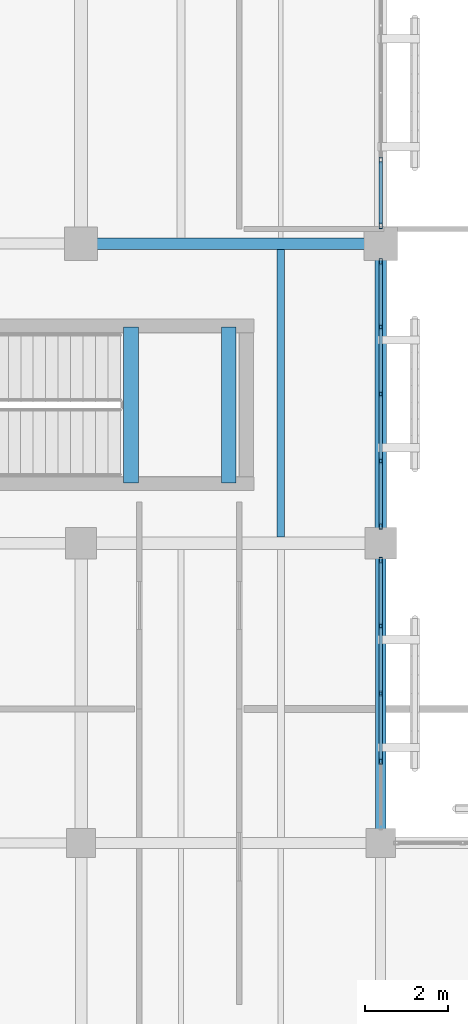
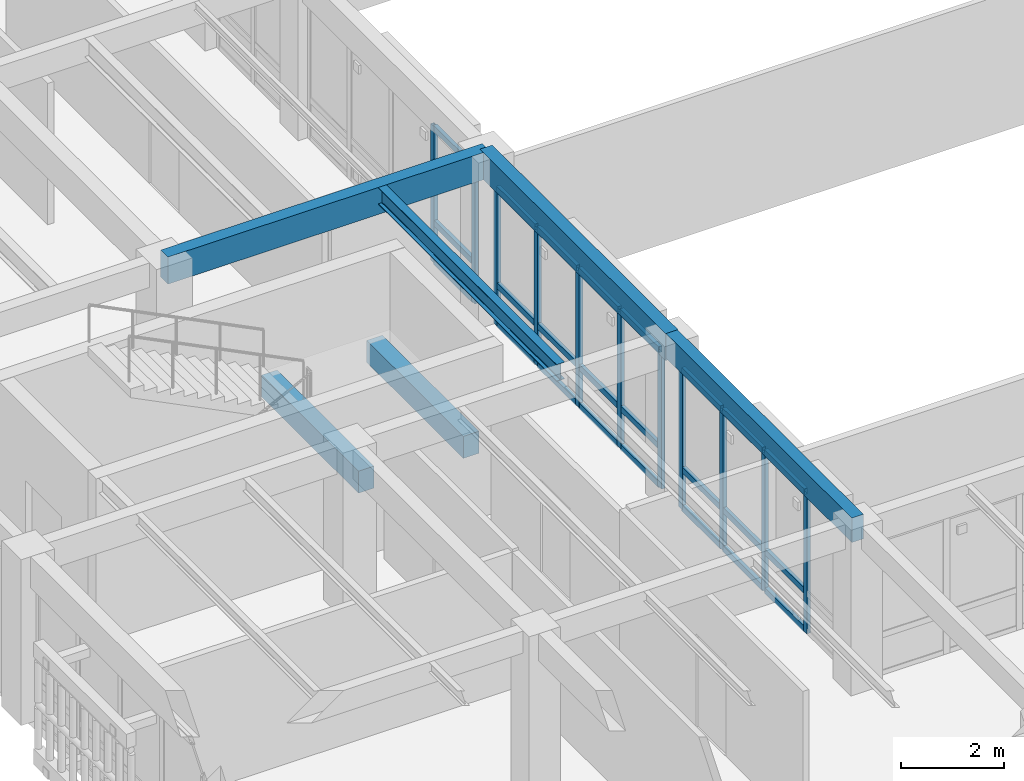
# One storey, part 102 of 170: 35 members, 6 beams, 3 elements without a shape of their own.
"""IFC4 building model written with IfcOpenShell, lengths in metres."""

from ifc_helpers import new_model, si_unit, direction, frame, origin, origin_2d, place, context, subcontext, project, spatial, rectangle, hollow_rectangle, i_section, extrude, material, layer, layer_set, material_profile, profile_set, type_object, element, aggregate, save


model = new_model("IFC4")

# Units and contexts
model_context = context("Model", 3, precision=1e-05, world=origin(), true_north=direction((0.0, 1.0)))
body_context = subcontext(model_context, "Body", "Model", "MODEL_VIEW")
ifc_project = project(units=[si_unit("LENGTHUNIT", "METRE"), si_unit("AREAUNIT", "SQUARE_METRE"), si_unit("VOLUMEUNIT", "CUBIC_METRE"), si_unit("PLANEANGLEUNIT", "RADIAN"), si_unit("MASSUNIT", "GRAM", prefix="KILO")], contexts=[model_context])

# Site, building, storey
site_placement = place(None, origin())
site = spatial("IfcSite", under=ifc_project, at=site_placement, CompositionType="ELEMENT")
building_placement = place(site_placement, origin())
building = spatial("IfcBuilding", under=site, at=building_placement, Name="Mazaris Harbour Polytechnic", CompositionType="ELEMENT")
storey_placement = place(building_placement, frame((0.0, 0.0, 5.39990234375)))
storey = spatial("IfcBuildingStorey", under=building, at=storey_placement, Name="L01", CompositionType="ELEMENT", Elevation=5.39990234375)

# Curtain wall, members
ifc_material_1 = material(Name="Anodised Bronze Aluminium and Low-E Glass", Category="aluminium")
ifc_layer = layer(ifc_material_1, 0.169921875, Name="Anodised Bronze Aluminium and Low-E Glass")
ifc_layer_set = layer_set([ifc_layer], Name="Anodised Bronze Aluminium and Low-E Glass")
curtain_wall_type = type_object("IfcCurtainWallType", Name="Studio North-Light Curtain Wall", PredefinedType="NOTDEFINED", material=ifc_layer_set)
curtain_wall_1_placement = place(storey_placement, origin())
curtain_wall_1 = element("IfcCurtainWall", 1, at=curtain_wall_1_placement, inside=storey, type_object=curtain_wall_type, Name="V5 L01 Curtain Wall 219", PredefinedType="NOTDEFINED")
ifc_material_2 = material(Name="Anodised Bronze Steel S355", Category="steel")
ifc_material_profile_1 = material_profile(ifc_material_2, hollow_rectangle(XDim=0.080078125, YDim=0.139892578125, WallThickness=0.00634765625, at=origin_2d()), Name="RHS 80x140x6.3")
ifc_profile_set_1 = profile_set([ifc_material_profile_1], Name="Anodised Bronze Steel S355")
member_type_1 = type_object("IfcMemberType", Name="Curtain Mullion RHS80x140", PredefinedType="MULLION", material=ifc_profile_set_1)
member_1_placement = place(storey_placement, frame((136.800048828125, 63.164794921875, 0.0), z_axis=(0.0, 0.0, 1.0), x_axis=(-1.0, 0.0, 0.0)))
member_1 = element("IfcMember", 2, at=member_1_placement, type_object=member_type_1, Name="CW-03 mullion 2", PredefinedType="MULLION", context=body_context, shape_type="SweptSolid", body=[
    extrude(hollow_rectangle(XDim=0.080078125, YDim=0.139892578125, WallThickness=0.00634765625, at=origin_2d()), origin(), (0.0, 0.0, 1.0), 3.330078125),
])
member_2_placement = place(storey_placement, frame((136.800048828125, 64.78759765625, 0.0), z_axis=(0.0, 0.0, 1.0), x_axis=(-1.0, 0.0, 0.0)))
member_2 = element("IfcMember", 3, at=member_2_placement, type_object=member_type_1, Name="CW-03 mullion 3", PredefinedType="MULLION", context=body_context, shape_type="SweptSolid", body=[
    extrude(hollow_rectangle(XDim=0.080078125, YDim=0.139892578125, WallThickness=0.00634765625, at=origin_2d()), origin(), (0.0, 0.0, 1.0), 3.330078125),
])
member_3_placement = place(storey_placement, frame((136.800048828125, 66.41015625, 0.0), z_axis=(0.0, 0.0, 1.0), x_axis=(-1.0, 0.0, 0.0)))
member_3 = element("IfcMember", 4, at=member_3_placement, type_object=member_type_1, Name="CW-03 mullion 4", PredefinedType="MULLION", context=body_context, shape_type="SweptSolid", body=[
    extrude(hollow_rectangle(XDim=0.080078125, YDim=0.139892578125, WallThickness=0.00634765625, at=origin_2d()), origin(), (0.0, 0.0, 1.0), 3.330078125),
])
member_4_placement = place(storey_placement, frame((136.800048828125, 67.992919921875, 0.0), z_axis=(0.0, 0.0, 1.0), x_axis=(-1.0, 0.0, 0.0)))
member_4 = element("IfcMember", 5, at=member_4_placement, type_object=member_type_1, Name="CW-03 mullion 5", PredefinedType="MULLION", context=body_context, shape_type="SweptSolid", body=[
    extrude(hollow_rectangle(XDim=0.080078125, YDim=0.139892578125, WallThickness=0.00634765625, at=origin_2d()), origin(), (0.0, 0.0, 1.0), 3.330078125),
])

curtain_wall_2_placement = place(storey_placement, origin())
curtain_wall_2 = element("IfcCurtainWall", 6, at=curtain_wall_2_placement, inside=storey, type_object=curtain_wall_type, Name="V5 L01 Curtain Wall 220", PredefinedType="NOTDEFINED")
member_5_placement = place(storey_placement, frame((136.800048828125, 68.806884765625, 0.0), z_axis=(0.0, 0.0, 1.0), x_axis=(-1.0, 0.0, 0.0)))
member_5 = element("IfcMember", 7, at=member_5_placement, type_object=member_type_1, Name="CW-03 mullion 1", PredefinedType="MULLION", context=body_context, shape_type="SweptSolid", body=[
    extrude(hollow_rectangle(XDim=0.080078125, YDim=0.139892578125, WallThickness=0.00634765625, at=origin_2d()), origin(), (0.0, 0.0, 1.0), 3.27001953125),
])
member_6_placement = place(storey_placement, frame((136.800048828125, 70.377197265625, 0.0), z_axis=(0.0, 0.0, 1.0), x_axis=(-1.0, 0.0, 0.0)))
member_6 = element("IfcMember", 8, at=member_6_placement, type_object=member_type_1, Name="CW-03 mullion 2", PredefinedType="MULLION", context=body_context, shape_type="SweptSolid", body=[
    extrude(hollow_rectangle(XDim=0.080078125, YDim=0.139892578125, WallThickness=0.00634765625, at=origin_2d()), origin(), (0.0, 0.0, 1.0), 3.27001953125),
])
member_7_placement = place(storey_placement, frame((136.800048828125, 71.987548828125, 0.0), z_axis=(0.0, 0.0, 1.0), x_axis=(-1.0, 0.0, 0.0)))
member_7 = element("IfcMember", 9, at=member_7_placement, type_object=member_type_1, Name="CW-03 mullion 3", PredefinedType="MULLION", context=body_context, shape_type="SweptSolid", body=[
    extrude(hollow_rectangle(XDim=0.080078125, YDim=0.139892578125, WallThickness=0.00634765625, at=origin_2d()), origin(), (0.0, 0.0, 1.0), 3.27001953125),
])
member_8_placement = place(storey_placement, frame((136.800048828125, 73.59765625, 0.0), z_axis=(0.0, 0.0, 1.0), x_axis=(-1.0, 0.0, 0.0)))
member_8 = element("IfcMember", 10, at=member_8_placement, type_object=member_type_1, Name="CW-03 mullion 4", PredefinedType="MULLION", context=body_context, shape_type="SweptSolid", body=[
    extrude(hollow_rectangle(XDim=0.080078125, YDim=0.139892578125, WallThickness=0.00634765625, at=origin_2d()), origin(), (0.0, 0.0, 1.0), 3.27001953125),
])
member_9_placement = place(storey_placement, frame((136.800048828125, 75.16796875, 0.0), z_axis=(0.0, 0.0, 1.0), x_axis=(-1.0, 0.0, 0.0)))
member_9 = element("IfcMember", 11, at=member_9_placement, type_object=member_type_1, Name="CW-03 mullion 5", PredefinedType="MULLION", context=body_context, shape_type="SweptSolid", body=[
    extrude(hollow_rectangle(XDim=0.080078125, YDim=0.139892578125, WallThickness=0.00634765625, at=origin_2d()), origin(), (0.0, 0.0, 1.0), 3.27001953125),
])

curtain_wall_3_placement = place(storey_placement, origin())
curtain_wall_3 = element("IfcCurtainWall", 12, at=curtain_wall_3_placement, inside=storey, type_object=curtain_wall_type, Name="V5 L01 Curtain Wall 221", PredefinedType="NOTDEFINED")
member_10_placement = place(storey_placement, frame((136.800048828125, 76.031982421875, 0.0), z_axis=(0.0, 0.0, 1.0), x_axis=(-1.0, 0.0, 0.0)))
member_10 = element("IfcMember", 13, at=member_10_placement, type_object=member_type_1, Name="CW-03 mullion 1", PredefinedType="MULLION", context=body_context, shape_type="SweptSolid", body=[
    extrude(hollow_rectangle(XDim=0.080078125, YDim=0.139892578125, WallThickness=0.00634765625, at=origin_2d()), origin(), (0.0, 0.0, 1.0), 3.22998046875),
])
member_11_placement = place(storey_placement, frame((136.800048828125, 77.6083984375, 0.0), z_axis=(0.0, 0.0, 1.0), x_axis=(-1.0, 0.0, 0.0)))
member_11 = element("IfcMember", 14, at=member_11_placement, type_object=member_type_1, Name="CW-03 mullion 2", PredefinedType="MULLION", context=body_context, shape_type="SweptSolid", body=[
    extrude(hollow_rectangle(XDim=0.080078125, YDim=0.139892578125, WallThickness=0.00634765625, at=origin_2d()), origin(), (0.0, 0.0, 1.0), 3.22998046875),
])

# Member
ifc_material_3 = material(Name="Anodised Bronze Steel S355", Category="steel")
ifc_material_profile_2 = material_profile(ifc_material_3, hollow_rectangle(XDim=0.080078125, YDim=0.139892578125, WallThickness=0.00634765625, at=origin_2d()), Name="RHS 80x140x6.3")
ifc_profile_set_2 = profile_set([ifc_material_profile_2], Name="Anodised Bronze Steel S355")
member_type_2 = type_object("IfcMemberType", Name="Curtain Transom RHS80x140", PredefinedType="USERDEFINED", material=ifc_profile_set_2)
member_12_placement = place(storey_placement, frame((136.800048828125, 63.204833984375, 0.0400390625), z_axis=(0.0, 1.0, 0.0), x_axis=(-1.0, 0.0, 0.0)))
member_12 = element("IfcMember", 15, at=member_12_placement, type_object=member_type_2, Name="CW-03 transom 2.1", ObjectType="TRANSOM", PredefinedType="USERDEFINED", context=body_context, shape_type="SweptSolid", body=[
    extrude(hollow_rectangle(XDim=0.080078125, YDim=0.139892578125, WallThickness=0.00634765625, at=origin_2d()), origin(), (0.0, 0.0, 1.0), 1.542724609375),
])

member_13_placement = place(storey_placement, frame((136.800048828125, 63.204833984375, 0.9501953125), z_axis=(0.0, 1.0, 0.0), x_axis=(-1.0, 0.0, 0.0)))
member_13 = element("IfcMember", 16, at=member_13_placement, type_object=member_type_2, Name="CW-03 transom 2.2", ObjectType="TRANSOM", PredefinedType="USERDEFINED", context=body_context, shape_type="SweptSolid", body=[
    extrude(hollow_rectangle(XDim=0.080078125, YDim=0.139892578125, WallThickness=0.00634765625, at=origin_2d()), origin(), (0.0, 0.0, 1.0), 1.542724609375),
])

member_14_placement = place(storey_placement, frame((136.800048828125, 63.204833984375, 3.2900390625), z_axis=(0.0, 1.0, 0.0), x_axis=(-1.0, 0.0, 0.0)))
member_14 = element("IfcMember", 17, at=member_14_placement, type_object=member_type_2, Name="CW-03 transom 2.3", ObjectType="TRANSOM", PredefinedType="USERDEFINED", context=body_context, shape_type="SweptSolid", body=[
    extrude(hollow_rectangle(XDim=0.080078125, YDim=0.139892578125, WallThickness=0.00634765625, at=origin_2d()), origin(), (0.0, 0.0, 1.0), 1.542724609375),
])

member_15_placement = place(storey_placement, frame((136.800048828125, 64.827392578125, 0.0400390625), z_axis=(0.0, 1.0, 0.0), x_axis=(-1.0, 0.0, 0.0)))
member_15 = element("IfcMember", 18, at=member_15_placement, type_object=member_type_2, Name="CW-03 transom 3.1", ObjectType="TRANSOM", PredefinedType="USERDEFINED", context=body_context, shape_type="SweptSolid", body=[
    extrude(hollow_rectangle(XDim=0.080078125, YDim=0.139892578125, WallThickness=0.00634765625, at=origin_2d()), origin(), (0.0, 0.0, 1.0), 1.54296875),
])

member_16_placement = place(storey_placement, frame((136.800048828125, 64.827392578125, 0.9501953125), z_axis=(0.0, 1.0, 0.0), x_axis=(-1.0, 0.0, 0.0)))
member_16 = element("IfcMember", 19, at=member_16_placement, type_object=member_type_2, Name="CW-03 transom 3.2", ObjectType="TRANSOM", PredefinedType="USERDEFINED", context=body_context, shape_type="SweptSolid", body=[
    extrude(hollow_rectangle(XDim=0.080078125, YDim=0.139892578125, WallThickness=0.00634765625, at=origin_2d()), origin(), (0.0, 0.0, 1.0), 1.54296875),
])

member_17_placement = place(storey_placement, frame((136.800048828125, 64.827392578125, 3.2900390625), z_axis=(0.0, 1.0, 0.0), x_axis=(-1.0, 0.0, 0.0)))
member_17 = element("IfcMember", 20, at=member_17_placement, type_object=member_type_2, Name="CW-03 transom 3.3", ObjectType="TRANSOM", PredefinedType="USERDEFINED", context=body_context, shape_type="SweptSolid", body=[
    extrude(hollow_rectangle(XDim=0.080078125, YDim=0.139892578125, WallThickness=0.00634765625, at=origin_2d()), origin(), (0.0, 0.0, 1.0), 1.54296875),
])

member_18_placement = place(storey_placement, frame((136.800048828125, 66.4501953125, 0.0400390625), z_axis=(0.0, 1.0, 0.0), x_axis=(-1.0, 0.0, 0.0)))
member_18 = element("IfcMember", 21, at=member_18_placement, type_object=member_type_2, Name="CW-03 transom 4.1", ObjectType="TRANSOM", PredefinedType="USERDEFINED", context=body_context, shape_type="SweptSolid", body=[
    extrude(hollow_rectangle(XDim=0.080078125, YDim=0.139892578125, WallThickness=0.00634765625, at=origin_2d()), origin(), (0.0, 0.0, 1.0), 1.502685546875),
])

member_19_placement = place(storey_placement, frame((136.800048828125, 66.4501953125, 0.9501953125), z_axis=(0.0, 1.0, 0.0), x_axis=(-1.0, 0.0, 0.0)))
member_19 = element("IfcMember", 22, at=member_19_placement, type_object=member_type_2, Name="CW-03 transom 4.2", ObjectType="TRANSOM", PredefinedType="USERDEFINED", context=body_context, shape_type="SweptSolid", body=[
    extrude(hollow_rectangle(XDim=0.080078125, YDim=0.139892578125, WallThickness=0.00634765625, at=origin_2d()), origin(), (0.0, 0.0, 1.0), 1.502685546875),
])

member_20_placement = place(storey_placement, frame((136.800048828125, 66.4501953125, 3.2900390625), z_axis=(0.0, 1.0, 0.0), x_axis=(-1.0, 0.0, 0.0)))
member_20 = element("IfcMember", 23, at=member_20_placement, type_object=member_type_2, Name="CW-03 transom 4.3", ObjectType="TRANSOM", PredefinedType="USERDEFINED", context=body_context, shape_type="SweptSolid", body=[
    extrude(hollow_rectangle(XDim=0.080078125, YDim=0.139892578125, WallThickness=0.00634765625, at=origin_2d()), origin(), (0.0, 0.0, 1.0), 1.502685546875),
])

aggregate(curtain_wall_1, [member_1, member_2, member_3, member_4, member_12, member_13, member_14, member_15, member_16, member_17, member_18, member_19, member_20])

member_21_placement = place(storey_placement, frame((136.800048828125, 68.846923828125, 0.0400390625), z_axis=(0.0, 1.0, 0.0), x_axis=(-1.0, 0.0, 0.0)))
member_21 = element("IfcMember", 24, at=member_21_placement, type_object=member_type_2, Name="CW-03 transom 1.1", ObjectType="TRANSOM", PredefinedType="USERDEFINED", context=body_context, shape_type="SweptSolid", body=[
    extrude(hollow_rectangle(XDim=0.080078125, YDim=0.139892578125, WallThickness=0.00634765625, at=origin_2d()), origin(), (0.0, 0.0, 1.0), 1.490234375),
])

member_22_placement = place(storey_placement, frame((136.800048828125, 68.846923828125, 0.9501953125), z_axis=(0.0, 1.0, 0.0), x_axis=(-1.0, 0.0, 0.0)))
member_22 = element("IfcMember", 25, at=member_22_placement, type_object=member_type_2, Name="CW-03 transom 1.2", ObjectType="TRANSOM", PredefinedType="USERDEFINED", context=body_context, shape_type="SweptSolid", body=[
    extrude(hollow_rectangle(XDim=0.080078125, YDim=0.139892578125, WallThickness=0.00634765625, at=origin_2d()), origin(), (0.0, 0.0, 1.0), 1.490234375),
])

member_23_placement = place(storey_placement, frame((136.800048828125, 68.846923828125, 3.22998046875), z_axis=(0.0, 1.0, 0.0), x_axis=(-1.0, 0.0, 0.0)))
member_23 = element("IfcMember", 26, at=member_23_placement, type_object=member_type_2, Name="CW-03 transom 1.3", ObjectType="TRANSOM", PredefinedType="USERDEFINED", context=body_context, shape_type="SweptSolid", body=[
    extrude(hollow_rectangle(XDim=0.080078125, YDim=0.139892578125, WallThickness=0.00634765625, at=origin_2d()), origin(), (0.0, 0.0, 1.0), 1.490234375),
])

member_24_placement = place(storey_placement, frame((136.800048828125, 70.417236328125, 0.0400390625), z_axis=(0.0, 1.0, 0.0), x_axis=(-1.0, 0.0, 0.0)))
member_24 = element("IfcMember", 27, at=member_24_placement, type_object=member_type_2, Name="CW-03 transom 2.1", ObjectType="TRANSOM", PredefinedType="USERDEFINED", context=body_context, shape_type="SweptSolid", body=[
    extrude(hollow_rectangle(XDim=0.080078125, YDim=0.139892578125, WallThickness=0.00634765625, at=origin_2d()), origin(), (0.0, 0.0, 1.0), 1.5302734375),
])

member_25_placement = place(storey_placement, frame((136.800048828125, 70.417236328125, 0.9501953125), z_axis=(0.0, 1.0, 0.0), x_axis=(-1.0, 0.0, 0.0)))
member_25 = element("IfcMember", 28, at=member_25_placement, type_object=member_type_2, Name="CW-03 transom 2.2", ObjectType="TRANSOM", PredefinedType="USERDEFINED", context=body_context, shape_type="SweptSolid", body=[
    extrude(hollow_rectangle(XDim=0.080078125, YDim=0.139892578125, WallThickness=0.00634765625, at=origin_2d()), origin(), (0.0, 0.0, 1.0), 1.5302734375),
])

member_26_placement = place(storey_placement, frame((136.800048828125, 70.417236328125, 3.22998046875), z_axis=(0.0, 1.0, 0.0), x_axis=(-1.0, 0.0, 0.0)))
member_26 = element("IfcMember", 29, at=member_26_placement, type_object=member_type_2, Name="CW-03 transom 2.3", ObjectType="TRANSOM", PredefinedType="USERDEFINED", context=body_context, shape_type="SweptSolid", body=[
    extrude(hollow_rectangle(XDim=0.080078125, YDim=0.139892578125, WallThickness=0.00634765625, at=origin_2d()), origin(), (0.0, 0.0, 1.0), 1.5302734375),
])

member_27_placement = place(storey_placement, frame((136.800048828125, 72.027587890625, 0.0400390625), z_axis=(0.0, 1.0, 0.0), x_axis=(-1.0, 0.0, 0.0)))
member_27 = element("IfcMember", 30, at=member_27_placement, type_object=member_type_2, Name="CW-03 transom 3.1", ObjectType="TRANSOM", PredefinedType="USERDEFINED", context=body_context, shape_type="SweptSolid", body=[
    extrude(hollow_rectangle(XDim=0.080078125, YDim=0.139892578125, WallThickness=0.00634765625, at=origin_2d()), origin(), (0.0, 0.0, 1.0), 1.5302734375),
])

member_28_placement = place(storey_placement, frame((136.800048828125, 72.027587890625, 0.9501953125), z_axis=(0.0, 1.0, 0.0), x_axis=(-1.0, 0.0, 0.0)))
member_28 = element("IfcMember", 31, at=member_28_placement, type_object=member_type_2, Name="CW-03 transom 3.2", ObjectType="TRANSOM", PredefinedType="USERDEFINED", context=body_context, shape_type="SweptSolid", body=[
    extrude(hollow_rectangle(XDim=0.080078125, YDim=0.139892578125, WallThickness=0.00634765625, at=origin_2d()), origin(), (0.0, 0.0, 1.0), 1.5302734375),
])

member_29_placement = place(storey_placement, frame((136.800048828125, 72.027587890625, 3.22998046875), z_axis=(0.0, 1.0, 0.0), x_axis=(-1.0, 0.0, 0.0)))
member_29 = element("IfcMember", 32, at=member_29_placement, type_object=member_type_2, Name="CW-03 transom 3.3", ObjectType="TRANSOM", PredefinedType="USERDEFINED", context=body_context, shape_type="SweptSolid", body=[
    extrude(hollow_rectangle(XDim=0.080078125, YDim=0.139892578125, WallThickness=0.00634765625, at=origin_2d()), origin(), (0.0, 0.0, 1.0), 1.5302734375),
])

member_30_placement = place(storey_placement, frame((136.800048828125, 73.6376953125, 0.0400390625), z_axis=(0.0, 1.0, 0.0), x_axis=(-1.0, 0.0, 0.0)))
member_30 = element("IfcMember", 33, at=member_30_placement, type_object=member_type_2, Name="CW-03 transom 4.1", ObjectType="TRANSOM", PredefinedType="USERDEFINED", context=body_context, shape_type="SweptSolid", body=[
    extrude(hollow_rectangle(XDim=0.080078125, YDim=0.139892578125, WallThickness=0.00634765625, at=origin_2d()), origin(), (0.0, 0.0, 1.0), 1.490234375),
])

member_31_placement = place(storey_placement, frame((136.800048828125, 73.6376953125, 0.9501953125), z_axis=(0.0, 1.0, 0.0), x_axis=(-1.0, 0.0, 0.0)))
member_31 = element("IfcMember", 34, at=member_31_placement, type_object=member_type_2, Name="CW-03 transom 4.2", ObjectType="TRANSOM", PredefinedType="USERDEFINED", context=body_context, shape_type="SweptSolid", body=[
    extrude(hollow_rectangle(XDim=0.080078125, YDim=0.139892578125, WallThickness=0.00634765625, at=origin_2d()), origin(), (0.0, 0.0, 1.0), 1.490234375),
])

member_32_placement = place(storey_placement, frame((136.800048828125, 73.6376953125, 3.22998046875), z_axis=(0.0, 1.0, 0.0), x_axis=(-1.0, 0.0, 0.0)))
member_32 = element("IfcMember", 35, at=member_32_placement, type_object=member_type_2, Name="CW-03 transom 4.3", ObjectType="TRANSOM", PredefinedType="USERDEFINED", context=body_context, shape_type="SweptSolid", body=[
    extrude(hollow_rectangle(XDim=0.080078125, YDim=0.139892578125, WallThickness=0.00634765625, at=origin_2d()), origin(), (0.0, 0.0, 1.0), 1.490234375),
])

aggregate(curtain_wall_2, [member_5, member_6, member_7, member_8, member_9, member_21, member_22, member_23, member_24, member_25, member_26, member_27, member_28, member_29, member_30, member_31, member_32])

member_33_placement = place(storey_placement, frame((136.800048828125, 76.072021484375, 0.0400390625), z_axis=(0.0, 1.0, 0.0), x_axis=(-1.0, 0.0, 0.0)))
member_33 = element("IfcMember", 36, at=member_33_placement, type_object=member_type_2, Name="CW-03 transom 1.1", ObjectType="TRANSOM", PredefinedType="USERDEFINED", context=body_context, shape_type="SweptSolid", body=[
    extrude(hollow_rectangle(XDim=0.080078125, YDim=0.139892578125, WallThickness=0.00634765625, at=origin_2d()), origin(), (0.0, 0.0, 1.0), 1.49658203125),
])

member_34_placement = place(storey_placement, frame((136.800048828125, 76.072021484375, 0.9501953125), z_axis=(0.0, 1.0, 0.0), x_axis=(-1.0, 0.0, 0.0)))
member_34 = element("IfcMember", 37, at=member_34_placement, type_object=member_type_2, Name="CW-03 transom 1.2", ObjectType="TRANSOM", PredefinedType="USERDEFINED", context=body_context, shape_type="SweptSolid", body=[
    extrude(hollow_rectangle(XDim=0.080078125, YDim=0.139892578125, WallThickness=0.00634765625, at=origin_2d()), origin(), (0.0, 0.0, 1.0), 1.49658203125),
])

member_35_placement = place(storey_placement, frame((136.800048828125, 76.072021484375, 3.190185546875), z_axis=(0.0, 1.0, 0.0), x_axis=(-1.0, 0.0, 0.0)))
member_35 = element("IfcMember", 38, at=member_35_placement, type_object=member_type_2, Name="CW-03 transom 1.3", ObjectType="TRANSOM", PredefinedType="USERDEFINED", context=body_context, shape_type="SweptSolid", body=[
    extrude(hollow_rectangle(XDim=0.080078125, YDim=0.139892578125, WallThickness=0.00634765625, at=origin_2d()), origin(), (0.0, 0.0, 1.0), 1.49658203125),
])

aggregate(curtain_wall_3, [member_10, member_11, member_33, member_34, member_35])

# Beams
ifc_material_4 = material(Name="Glulam GL32h", Category="wood")
ifc_material_profile_3 = material_profile(ifc_material_4, rectangle(XDim=0.260009765625, YDim=0.580078125, at=origin_2d()), Name="RECT260x580")
ifc_profile_set_3 = profile_set([ifc_material_profile_3], Name="Glulam GL32h")
beam_type_1 = type_object("IfcBeamType", Name="Glulam Girder 260x580", PredefinedType="BEAM", material=ifc_profile_set_3)
beam_1_placement = place(storey_placement, frame((136.800048828125, 61.199951171875, 3.630126953125), z_axis=(0.0, 1.0, 0.0), x_axis=(-1.0, 0.0, 0.0)))
element("IfcBeam", 39, at=beam_1_placement, inside=storey, type_object=beam_type_1, Name="V5 L01 Tie Girder 2986", PredefinedType="BEAM", context=body_context, shape_type="SweptSolid", body=[
    extrude(rectangle(XDim=0.260009765625, YDim=0.580078125, at=origin_2d()), origin(), (0.0, 0.0, 1.0), 7.199951171875),
])
ifc_material_5 = material(Name="Glulam GL32h", Category="wood")
ifc_material_profile_4 = material_profile(ifc_material_5, rectangle(XDim=0.280029296875, YDim=0.639892578125, at=origin_2d()), Name="RECT280x640")
ifc_profile_set_4 = profile_set([ifc_material_profile_4], Name="Glulam GL32h")
beam_type_2 = type_object("IfcBeamType", Name="Glulam Girder 280x640", PredefinedType="BEAM", material=ifc_profile_set_4)
beam_2_placement = place(storey_placement, frame((129.60009765625, 75.60009765625, 3.60009765625), z_axis=(1.0, 0.0, 0.0), x_axis=(0.0, 1.0, 0.0)))
element("IfcBeam", 40, at=beam_2_placement, inside=storey, type_object=beam_type_2, Name="V5 L01 Girder 2932", PredefinedType="BEAM", context=body_context, shape_type="SweptSolid", body=[
    extrude(rectangle(XDim=0.280029296875, YDim=0.639892578125, at=origin_2d()), origin(), (0.0, 0.0, 1.0), 7.199951171875),
])
beam_3_placement = place(storey_placement, frame((136.800048828125, 68.39990234375, 3.60009765625), z_axis=(0.0, 1.0, 0.0), x_axis=(-1.0, 0.0, 0.0)))
element("IfcBeam", 41, at=beam_3_placement, inside=storey, type_object=beam_type_2, Name="V5 L01 Tie Girder 2987", PredefinedType="BEAM", context=body_context, shape_type="SweptSolid", body=[
    extrude(rectangle(XDim=0.280029296875, YDim=0.639892578125, at=origin_2d()), origin(), (0.0, 0.0, 1.0), 7.2001953125),
])
ifc_material_6 = material(Name="Concrete C40/50", Category="concrete")
ifc_material_profile_5 = material_profile(ifc_material_6, rectangle(XDim=0.35009765625, YDim=0.52001953125, at=origin_2d()), Name="RECT350x520")
ifc_profile_set_5 = profile_set([ifc_material_profile_5], Name="Concrete C40/50")
beam_type_3 = type_object("IfcBeamType", Name="RC Landing Bearer 350x520", PredefinedType="BEAM", material=ifc_profile_set_5)
for number, where, z_axis, x_axis, name in (
    (42, (130.800048828125, 69.85009765625, 1.64013671875), (0.0, 1.0, 0.0), (-1.0, 0.0, 0.0), "Core ST09 L01 Landing Bearer"),
    (43, (133.14990234375, 69.85009765625, 1.64013671875), (0.0, 1.0, 0.0), (-1.0, 0.0, 0.0), "Core ST09 L01 Landing Bearer"),
):
    element("IfcBeam", number, at=place(storey_placement, frame(where, z_axis=z_axis, x_axis=x_axis)), inside=storey, type_object=beam_type_3, Name=name, PredefinedType="BEAM", context=body_context, shape_type="SweptSolid", body=[
        extrude(rectangle(XDim=0.35009765625, YDim=0.52001953125, at=origin_2d()), origin(), (0.0, 0.0, 1.0), 3.75),
    ])
ifc_material_7 = material(Name="Steel S355", Category="steel")
ifc_material_profile_6 = material_profile(ifc_material_7, i_section(OverallWidth=0.179931640625, OverallDepth=0.39990234375, WebThickness=0.008544921875, FlangeThickness=0.013427734375, FilletRadius=0.02099609375, at=origin_2d()), Name="IPE 400")
ifc_profile_set_6 = profile_set([ifc_material_profile_6], Name="Steel S355")
beam_type_4 = type_object("IfcBeamType", Name="Steel Joist IPE400", PredefinedType="JOIST", material=ifc_profile_set_6)
beam_4_placement = place(storey_placement, frame((134.39990234375, 68.550048828125, 3.72021484375), z_axis=(0.0, 1.0, 0.0), x_axis=(-1.0, 0.0, 0.0)))
element("IfcBeam", 44, at=beam_4_placement, inside=storey, type_object=beam_type_4, Name="V5 L01 Floor Joist 3050", PredefinedType="JOIST", context=body_context, shape_type="SweptSolid", body=[
    extrude(i_section(OverallWidth=0.179931640625, OverallDepth=0.39990234375, WebThickness=0.008544921875, FlangeThickness=0.013427734375, FilletRadius=0.02099609375, at=origin_2d()), origin(), (0.0, 0.0, 1.0), 6.909912109375),
])

save(model, "model.ifc")
